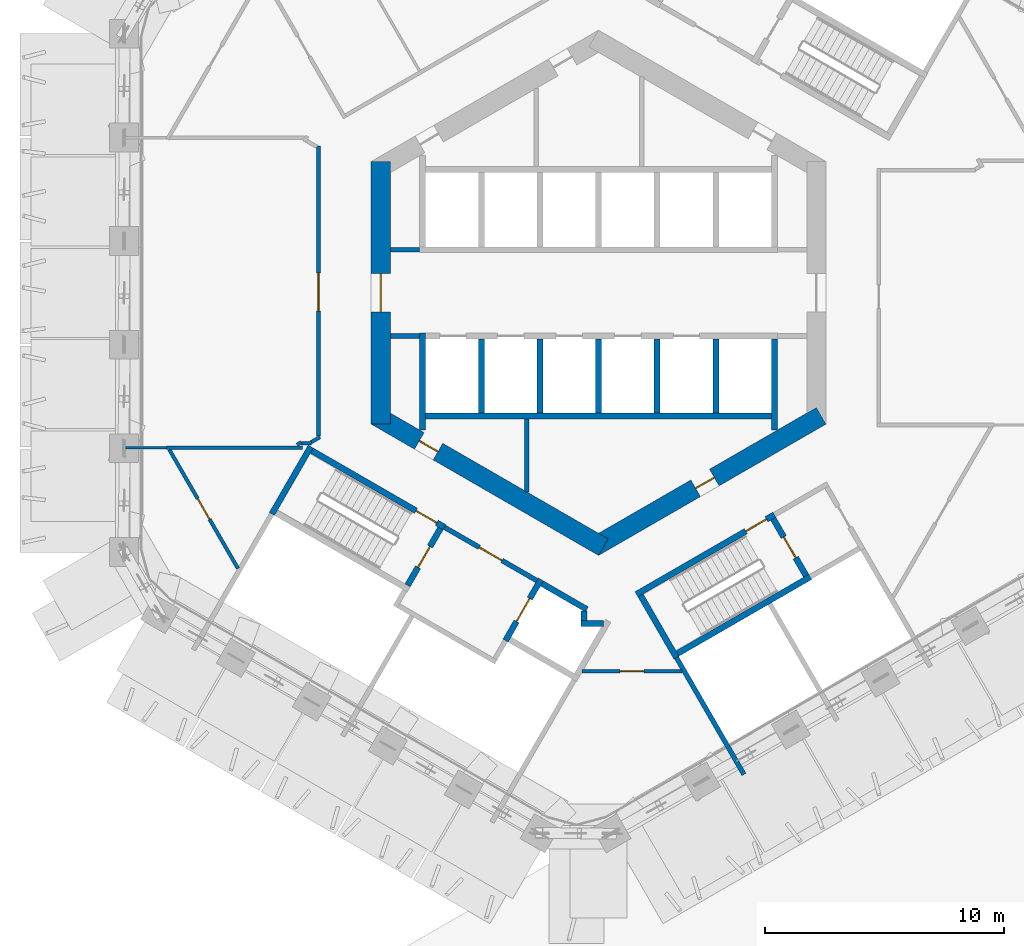
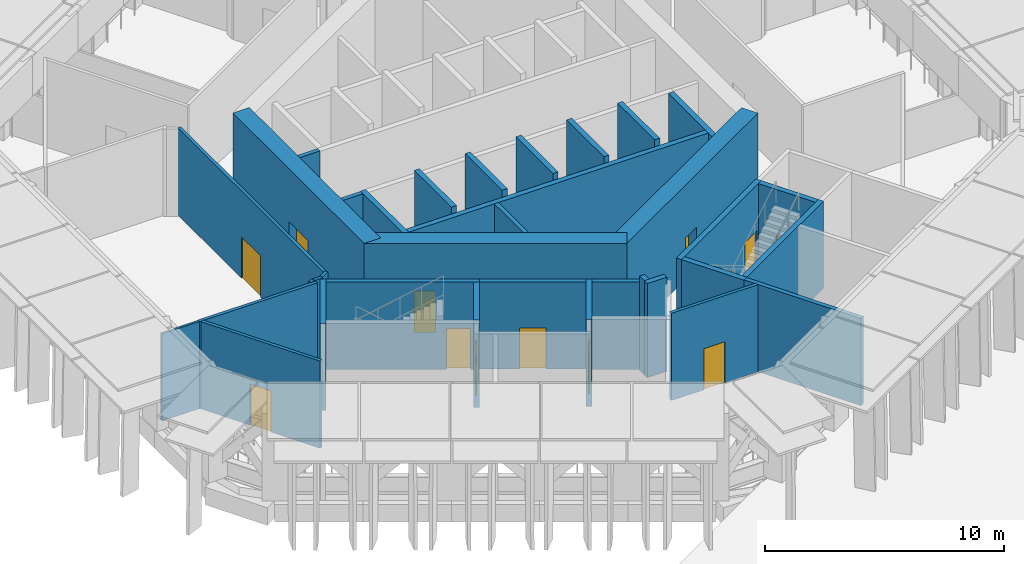
# One storey, part 6 of 16: 35 walls, 12 doors, 12 openings.
"""IFC4 building model written with IfcOpenShell, lengths in metres."""

from ifc_helpers import new_model, si_unit, direction, frame, frame_2d, origin, place, context, subcontext, project, spatial, rectangle, extrude, material, layer, layer_set, type_object, element, fill, save


model = new_model("IFC4")

# Units and contexts
model_context = context("Model", 3, precision=1e-05, world=origin(), true_north=direction((0.0, 1.0)))
body_context = subcontext(model_context, "Body", "Model", "MODEL_VIEW")
ifc_project = project(units=[si_unit("LENGTHUNIT", "METRE"), si_unit("AREAUNIT", "SQUARE_METRE"), si_unit("VOLUMEUNIT", "CUBIC_METRE"), si_unit("PLANEANGLEUNIT", "RADIAN"), si_unit("MASSUNIT", "GRAM", prefix="KILO")], contexts=[model_context])

# Site, building, storey
site_placement = place(None, origin())
site = spatial("IfcSite", under=ifc_project, at=site_placement, CompositionType="ELEMENT")
building_placement = place(site_placement, origin())
building = spatial("IfcBuilding", under=site, at=building_placement, Name="Ayvan Gate Tower", CompositionType="ELEMENT")
storey_placement = place(building_placement, frame((0.0, 0.0, 78.300048828125)))
storey = spatial("IfcBuildingStorey", under=building, at=storey_placement, Name="L20", CompositionType="ELEMENT", Elevation=78.300048828125)

# Wall, opening, door
ifc_material_1 = material(Name="Concrete C70/85", Category="concrete")
ifc_layer_1 = layer(ifc_material_1, 0.800048828125)
ifc_layer_set_1 = layer_set([ifc_layer_1], Name="Concrete C70/85")
wall_type_1 = type_object("IfcWallType", Name="Core wall 800 C70/85", PredefinedType="SHEAR", material=ifc_layer_set_1)
wall_1_placement = place(storey_placement, frame((-9.10009765625, 5.48486328125, 0.0), z_axis=(0.0, 0.0, 1.0), x_axis=(0.0, -1.0, 0.0)))
wall_1 = element("IfcWall", 1, at=wall_1_placement, inside=storey, type_object=wall_type_1, Name="CORE-L20-3", PredefinedType="SHEAR", context=body_context, shape_type="SweptSolid", body=[
    extrude(rectangle(XDim=10.9697265625, YDim=0.800048828125, at=frame_2d((5.48486328125, 0.0))), origin(), (0.0, 0.0, 1.0), 4.800048828125),
])
opening_1_placement = place(wall_1_placement, frame((4.684814453125, 0.0, 0.0)))
opening_1 = element("IfcOpeningElement", 2, at=opening_1_placement, cuts=wall_1, Name="Opening L20-D33", PredefinedType="OPENING", context=body_context, shape_type="SweptSolid", body=[
    extrude(rectangle(XDim=1.60009765625, YDim=2.10009765625, at=frame_2d((0.800048828125, 1.050048828125))), frame((0.0, 0.409912109375, 0.0), z_axis=(0.0, -1.0, 0.0), x_axis=(1.0, 0.0, 0.0)), (0.0, 0.0, 1.0), 0.820068359375),
])
ifc_material_2 = material(Name="Timber door leaf", Category="wood")
door_type_1 = type_object("IfcDoorType", Name="DT-1600", OperationType="NOTDEFINED", PredefinedType="DOOR", material=ifc_material_2)
door_1_placement = place(opening_1_placement, origin())
door_1 = element("IfcDoor", 3, at=door_1_placement, inside=storey, type_object=door_type_1, Name="CD-L20-33", OperationType="SINGLE_SWING_LEFT", OverallHeight=2.10009765625, OverallWidth=1.60009765625, PredefinedType="DOOR", context=body_context, shape_type="SweptSolid", body=[
    extrude(rectangle(XDim=1.60009765625, YDim=2.10009765625, at=frame_2d((0.800048828125, 1.050048828125))), frame((0.0, 0.02490234375, 0.0), z_axis=(0.0, -1.0, 0.0), x_axis=(1.0, 0.0, 0.0)), (0.0, 0.0, 1.0), 0.050048828125),
])
fill(opening_1, door_1)

wall_2_placement = place(storey_placement, frame((-9.300048828125, -5.138427734375, 0.0), z_axis=(0.0, 0.0, 1.0), x_axis=(0.866023993627, -0.500002442456, 0.0)))
wall_2 = element("IfcWall", 4, at=wall_2_placement, inside=storey, type_object=wall_type_1, Name="CORE-L20-4", PredefinedType="SHEAR", context=body_context, shape_type="SweptSolid", body=[
    extrude(rectangle(XDim=10.9697265625, YDim=0.800048828125, at=frame_2d((5.48486328125, 0.0))), origin(), (0.0, 0.0, 1.0), 4.800048828125),
])
opening_2_placement = place(wall_2_placement, frame((2.09130859375, 0.0, 0.0)))
opening_2 = element("IfcOpeningElement", 5, at=opening_2_placement, cuts=wall_2, Name="Opening L20-D30", PredefinedType="OPENING", context=body_context, shape_type="SweptSolid", body=[
    extrude(rectangle(XDim=0.89990234375, YDim=2.10009765625, at=frame_2d((0.449951171875, 1.050048828125))), frame((0.0, 0.409912109375, 0.0), z_axis=(0.0, -1.0, 0.0), x_axis=(1.0, 0.0, 0.0)), (0.0, 0.0, 1.0), 0.820068359375),
])
door_type_2 = type_object("IfcDoorType", Name="DT-900", OperationType="NOTDEFINED", PredefinedType="DOOR", material=ifc_material_2)
door_2_placement = place(opening_2_placement, origin())
door_2 = element("IfcDoor", 6, at=door_2_placement, inside=storey, type_object=door_type_2, Name="CD-L20-30", OperationType="SINGLE_SWING_RIGHT", OverallHeight=2.10009765625, OverallWidth=0.89990234375, PredefinedType="DOOR", context=body_context, shape_type="SweptSolid", body=[
    extrude(rectangle(XDim=0.89990234375, YDim=2.10009765625, at=frame_2d((0.449951171875, 1.050048828125))), frame((0.0, 0.02490234375, 0.0), z_axis=(0.0, -1.0, 0.0), x_axis=(1.0, 0.0, 0.0)), (0.0, 0.0, 1.0), 0.050048828125),
])
fill(opening_2, door_2)

wall_3_placement = place(storey_placement, frame((-0.199951171875, -10.623291015625, 0.0), z_axis=(0.0, 0.0, 1.0), x_axis=(0.866023993627, 0.500002442456, 0.0)))
wall_3 = element("IfcWall", 7, at=wall_3_placement, inside=storey, type_object=wall_type_1, Name="CORE-L20-5", PredefinedType="SHEAR", context=body_context, shape_type="SweptSolid", body=[
    extrude(rectangle(XDim=10.9697265625, YDim=0.800048828125, at=frame_2d((5.48486328125, 0.0))), origin(), (0.0, 0.0, 1.0), 4.800048828125),
])
opening_3_placement = place(wall_3_placement, frame((4.914306640625, 0.0, 0.0)))
opening_3 = element("IfcOpeningElement", 8, at=opening_3_placement, cuts=wall_3, Name="Opening L20-D31", PredefinedType="OPENING", context=body_context, shape_type="SweptSolid", body=[
    extrude(rectangle(XDim=0.89990234375, YDim=2.10009765625, at=frame_2d((0.449951171875, 1.050048828125))), frame((0.0, 0.409912109375, 0.0), z_axis=(0.0, -1.0, 0.0), x_axis=(1.0, 0.0, 0.0)), (0.0, 0.0, 1.0), 0.820068359375),
])
door_3_placement = place(opening_3_placement, origin())
door_3 = element("IfcDoor", 9, at=door_3_placement, inside=storey, type_object=door_type_2, Name="CD-L20-31", OperationType="SINGLE_SWING_LEFT", OverallHeight=2.10009765625, OverallWidth=0.89990234375, PredefinedType="DOOR", context=body_context, shape_type="SweptSolid", body=[
    extrude(rectangle(XDim=0.89990234375, YDim=2.10009765625, at=frame_2d((0.449951171875, 1.050048828125))), frame((0.0, 0.02490234375, 0.0), z_axis=(0.0, -1.0, 0.0), x_axis=(1.0, 0.0, 0.0)), (0.0, 0.0, 1.0), 0.050048828125),
])
fill(opening_3, door_3)

# Wall
ifc_material_3 = material(Name="Plasterboard on steel stud", Category="steel")
ifc_layer_2 = layer(ifc_material_3, 0.14990234375)
ifc_layer_set_2 = layer_set([ifc_layer_2], Name="Plasterboard on steel stud")
wall_type_2 = type_object("IfcWallType", Name="WT-CORR-150", PredefinedType="PARTITIONING", material=ifc_layer_set_2)
wall_4_placement = place(storey_placement, frame((-18.04638671875, -6.47998046875, 0.0), z_axis=(0.0, 0.0, 1.0), x_axis=(1.0, 0.0, 0.0)))
element("IfcWall", 10, at=wall_4_placement, inside=storey, type_object=wall_type_2, Name="IW-L20-002", PredefinedType="PARTITIONING", context=body_context, shape_type="SweptSolid", body=[
    extrude(rectangle(XDim=5.685302734375, YDim=0.14990234375, at=frame_2d((2.8427734375, 0.0))), origin(), (0.0, 0.0, 1.0), 4.449951171875),
])

# Wall, opening, door
wall_5_placement = place(storey_placement, frame((-15.063232421875, -11.51708984375, 0.0), z_axis=(0.0, 0.0, 1.0), x_axis=(-0.500021827193, 0.866012801482, 0.0)))
wall_5 = element("IfcWall", 11, at=wall_5_placement, inside=storey, type_object=wall_type_2, Name="IW-L20-006", PredefinedType="PARTITIONING", context=body_context, shape_type="SweptSolid", body=[
    extrude(rectangle(XDim=5.741455078125, YDim=0.14990234375, at=frame_2d((2.87060546875, 0.0))), origin(), (0.0, 0.0, 1.0), 4.449951171875),
])
opening_4_placement = place(wall_5_placement, frame((2.37060546875, 0.0, 0.0)))
opening_4 = element("IfcOpeningElement", 12, at=opening_4_placement, cuts=wall_5, Name="Opening L20-D23", PredefinedType="OPENING", context=body_context, shape_type="SweptSolid", body=[
    extrude(rectangle(XDim=1.0, YDim=2.10009765625, at=frame_2d((0.5, 1.050048828125))), frame((0.0, 0.0849609375, 0.0), z_axis=(0.0, -1.0, 0.0), x_axis=(1.0, 0.0, 0.0)), (0.0, 0.0, 1.0), 0.169921875),
])
door_type_3 = type_object("IfcDoorType", Name="DT-1000", OperationType="NOTDEFINED", PredefinedType="DOOR", material=ifc_material_2)
door_4_placement = place(opening_4_placement, origin())
door_4 = element("IfcDoor", 13, at=door_4_placement, inside=storey, type_object=door_type_3, Name="ID-L20-023", OperationType="SINGLE_SWING_LEFT", OverallHeight=2.10009765625, OverallWidth=1.0, PredefinedType="DOOR", context=body_context, shape_type="SweptSolid", body=[
    extrude(rectangle(XDim=1.0, YDim=2.10009765625, at=frame_2d((0.5, 1.050048828125))), frame((0.0, 0.02490234375, 0.0), z_axis=(0.0, -1.0, 0.0), x_axis=(1.0, 0.0, 0.0)), (0.0, 0.0, 1.0), 0.050048828125),
])
fill(opening_4, door_4)

# Walls
wall_6_placement = place(storey_placement, frame((-12.597900390625, -6.349609375, 0.0), z_axis=(0.0, 0.0, 1.0), x_axis=(0.865919906206, 0.500182682664, 0.0)))
element("IfcWall", 14, at=wall_6_placement, inside=storey, type_object=wall_type_2, Name="IW-L20-009", PredefinedType="PARTITIONING", context=body_context, shape_type="SweptSolid", body=[
    extrude(rectangle(XDim=0.21435546875, YDim=0.14990234375, at=frame_2d((0.107177734375, 0.0))), origin(), (0.0, 0.0, 1.0), 4.449951171875),
])
wall_7_placement = place(storey_placement, frame((-12.40234375, -6.280029296875, 0.0), z_axis=(0.0, 0.0, 1.0), x_axis=(1.0, 0.0, 0.0)))
element("IfcWall", 15, at=wall_7_placement, inside=storey, type_object=wall_type_2, Name="IW-L20-010", PredefinedType="PARTITIONING", context=body_context, shape_type="SweptSolid", body=[
    extrude(rectangle(XDim=0.400146484375, YDim=0.14990234375, at=frame_2d((0.2001953125, 0.0))), origin(), (0.0, 0.0, 1.0), 4.449951171875),
])
wall_8_placement = place(storey_placement, frame((-12.012451171875, -6.242431640625, 0.0), z_axis=(0.0, 0.0, 1.0), x_axis=(0.866166930732, 0.499754787977, 0.0)))
element("IfcWall", 16, at=wall_8_placement, inside=storey, type_object=wall_type_2, Name="IW-L20-015", PredefinedType="PARTITIONING", context=body_context, shape_type="SweptSolid", body=[
    extrude(rectangle(XDim=0.435791015625, YDim=0.14990234375, at=frame_2d((0.2177734375, 0.0))), origin(), (0.0, 0.0, 1.0), 4.449951171875),
])

# Wall, opening, door
wall_9_placement = place(storey_placement, frame((-11.699951171875, -5.9873046875, 0.0), z_axis=(0.0, 0.0, 1.0), x_axis=(0.0, 1.0, 0.0)))
wall_9 = element("IfcWall", 17, at=wall_9_placement, inside=storey, type_object=wall_type_2, Name="IW-L20-016", PredefinedType="PARTITIONING", context=body_context, shape_type="SweptSolid", body=[
    extrude(rectangle(XDim=12.12451171875, YDim=0.14990234375, at=frame_2d((6.062255859375, 0.0))), origin(), (0.0, 0.0, 1.0), 4.449951171875),
])
opening_5_placement = place(wall_9_placement, frame((5.224609375, 0.0, 0.0)))
opening_5 = element("IfcOpeningElement", 18, at=opening_5_placement, cuts=wall_9, Name="Opening L20-D19", PredefinedType="OPENING", context=body_context, shape_type="SweptSolid", body=[
    extrude(rectangle(XDim=1.60009765625, YDim=2.10009765625, at=frame_2d((0.800048828125, 1.050048828125))), frame((0.0, 0.0849609375, 0.0), z_axis=(0.0, -1.0, 0.0), x_axis=(1.0, 0.0, 0.0)), (0.0, 0.0, 1.0), 0.169921875),
])
door_5_placement = place(opening_5_placement, origin())
door_5 = element("IfcDoor", 19, at=door_5_placement, inside=storey, type_object=door_type_1, Name="ID-L20-019", OperationType="SINGLE_SWING_LEFT", OverallHeight=2.10009765625, OverallWidth=1.60009765625, PredefinedType="DOOR", context=body_context, shape_type="SweptSolid", body=[
    extrude(rectangle(XDim=1.60009765625, YDim=2.10009765625, at=frame_2d((0.800048828125, 1.050048828125))), frame((0.0, 0.02490234375, 0.0), z_axis=(0.0, -1.0, 0.0), x_axis=(1.0, 0.0, 0.0)), (0.0, 0.0, 1.0), 0.050048828125),
])
fill(opening_5, door_5)

wall_10_placement = place(storey_placement, frame((3.481689453125, -15.8037109375, 0.0), z_axis=(0.0, 0.0, 1.0), x_axis=(-1.0, 0.0, 0.0)))
wall_10 = element("IfcWall", 20, at=wall_10_placement, inside=storey, type_object=wall_type_2, Name="IW-L20-066", PredefinedType="PARTITIONING", context=body_context, shape_type="SweptSolid", body=[
    extrude(rectangle(XDim=4.167236328125, YDim=0.14990234375, at=frame_2d((2.08349609375, 0.0))), origin(), (0.0, 0.0, 1.0), 4.449951171875),
])
opening_6_placement = place(wall_10_placement, frame((1.58349609375, 0.0, 0.0)))
opening_6 = element("IfcOpeningElement", 21, at=opening_6_placement, cuts=wall_10, Name="Opening L20-D24", PredefinedType="OPENING", context=body_context, shape_type="SweptSolid", body=[
    extrude(rectangle(XDim=1.0, YDim=2.10009765625, at=frame_2d((0.5, 1.050048828125))), frame((0.0, 0.0849609375, 0.0), z_axis=(0.0, -1.0, 0.0), x_axis=(1.0, 0.0, 0.0)), (0.0, 0.0, 1.0), 0.169921875),
])
door_6_placement = place(opening_6_placement, origin())
door_6 = element("IfcDoor", 22, at=door_6_placement, inside=storey, type_object=door_type_3, Name="ID-L20-024", OperationType="SINGLE_SWING_RIGHT", OverallHeight=2.10009765625, OverallWidth=1.0, PredefinedType="DOOR", context=body_context, shape_type="SweptSolid", body=[
    extrude(rectangle(XDim=1.0, YDim=2.10009765625, at=frame_2d((0.5, 1.050048828125))), frame((0.0, 0.02490234375, 0.0), z_axis=(0.0, -1.0, 0.0), x_axis=(1.0, 0.0, 0.0)), (0.0, 0.0, 1.0), 0.050048828125),
])
fill(opening_6, door_6)

# Walls
ifc_layer_3 = layer(ifc_material_3, 0.10009765625)
ifc_layer_set_3 = layer_set([ifc_layer_3], Name="Plasterboard on steel stud")
wall_type_3 = type_object("IfcWallType", Name="WT-PART-100", PredefinedType="PARTITIONING", material=ifc_layer_set_3)
wall_11_placement = place(storey_placement, frame((-18.04638671875, -6.47998046875, 0.0), z_axis=(0.0, 0.0, 1.0), x_axis=(-1.0, 0.0, 0.0)))
element("IfcWall", 23, at=wall_11_placement, inside=storey, type_object=wall_type_3, Name="IW-L20-003", PredefinedType="PARTITIONING", context=body_context, shape_type="SweptSolid", body=[
    extrude(rectangle(XDim=1.816650390625, YDim=0.10009765625, at=frame_2d((0.908203125, 0.0))), origin(), (0.0, 0.0, 1.0), 4.449951171875),
])
ifc_layer_4 = layer(ifc_material_3, 0.199951171875)
ifc_layer_set_4 = layer_set([ifc_layer_4], Name="Plasterboard on steel stud")
wall_type_4 = type_object("IfcWallType", Name="WT-PLUMB-200", PredefinedType="PLUMBINGWALL", material=ifc_layer_set_4)
wall_12_placement = place(storey_placement, frame((3.255615234375, -15.23876953125, 0.0), z_axis=(0.0, 0.0, 1.0), x_axis=(0.499988783044, -0.8660318798, 0.0)))
element("IfcWall", 24, at=wall_12_placement, inside=storey, type_object=wall_type_4, Name="IW-L20-067", PredefinedType="PLUMBINGWALL", context=body_context, shape_type="SweptSolid", body=[
    extrude(rectangle(XDim=5.634033203125, YDim=0.199951171875, at=frame_2d((2.81689453125, 0.0))), origin(), (0.0, 0.0, 1.0), 4.449951171875),
])
ifc_layer_5 = layer(ifc_material_3, 0.199951171875)
ifc_layer_set_5 = layer_set([ifc_layer_5], Name="Plasterboard on steel stud")
wall_type_5 = type_object("IfcWallType", Name="WT-RATED-200", PredefinedType="PARTITIONING", material=ifc_layer_set_5)
for number, where, z_axis, x_axis, name in (
    (25, (-8.699951171875, 1.800048828125, 0.0), (0.0, 0.0, 1.0), (1.0, 0.0, 0.0), "IW-L20-019"),
    (26, (-7.474853515625, -1.800048828125, 0.0), (0.0, 0.0, 1.0), (-1.0, 0.0, 0.0), "IW-L20-029"),
):
    element("IfcWall", number, at=place(storey_placement, frame(where, z_axis=z_axis, x_axis=x_axis)), inside=storey, type_object=wall_type_5, Name=name, PredefinedType="PARTITIONING", context=body_context, shape_type="SweptSolid", body=[
        extrude(rectangle(XDim=1.22509765625, YDim=0.199951171875, at=frame_2d((0.612548828125, 0.0))), origin(), (0.0, 0.0, 1.0), 4.449951171875),
    ])

# Wall, opening, door
wall_13_placement = place(storey_placement, frame((-6.4345703125, -9.794921875, 0.0), z_axis=(0.0, 0.0, 1.0), x_axis=(0.866012907634, -0.500021643343, 0.0)))
wall_13 = element("IfcWall", 27, at=wall_13_placement, inside=storey, type_object=wall_type_5, Name="IW-L20-031", PredefinedType="PARTITIONING", context=body_context, shape_type="SweptSolid", body=[
    extrude(rectangle(XDim=4.449951171875, YDim=0.199951171875, at=frame_2d((2.22509765625, 0.0))), origin(), (0.0, 0.0, 1.0), 4.449951171875),
])
opening_7_placement = place(wall_13_placement, frame((1.675048828125, 0.0, 0.0)))
opening_7 = element("IfcOpeningElement", 28, at=opening_7_placement, cuts=wall_13, Name="Opening L20-D12", PredefinedType="OPENING", context=body_context, shape_type="SweptSolid", body=[
    extrude(rectangle(XDim=1.10009765625, YDim=2.10009765625, at=frame_2d((0.550048828125, 1.050048828125))), frame((0.0, 0.10986328125, 0.0), z_axis=(0.0, -1.0, 0.0), x_axis=(1.0, 0.0, 0.0)), (0.0, 0.0, 1.0), 0.219970703125),
])
door_type_4 = type_object("IfcDoorType", Name="DT-1100", OperationType="NOTDEFINED", PredefinedType="DOOR", material=ifc_material_2)
door_7_placement = place(opening_7_placement, origin())
door_7 = element("IfcDoor", 29, at=door_7_placement, inside=storey, type_object=door_type_4, Name="ID-L20-012", OperationType="SINGLE_SWING_RIGHT", OverallHeight=2.10009765625, OverallWidth=1.10009765625, PredefinedType="DOOR", context=body_context, shape_type="SweptSolid", body=[
    extrude(rectangle(XDim=1.10009765625, YDim=2.10009765625, at=frame_2d((0.550048828125, 1.050048828125))), frame((0.0, 0.02490234375, 0.0), z_axis=(0.0, -1.0, 0.0), x_axis=(1.0, 0.0, 0.0)), (0.0, 0.0, 1.0), 0.050048828125),
])
fill(opening_7, door_7)

# Walls
wall_14_placement = place(storey_placement, frame((-3.0, -5.27490234375, 0.0), z_axis=(0.0, 0.0, 1.0), x_axis=(0.0, -1.0, 0.0)))
element("IfcWall", 30, at=wall_14_placement, inside=storey, type_object=wall_type_5, Name="IW-L20-040", PredefinedType="PARTITIONING", context=body_context, shape_type="SweptSolid", body=[
    extrude(rectangle(XDim=3.038818359375, YDim=0.199951171875, at=frame_2d((1.51953125, 0.0))), origin(), (0.0, 0.0, 1.0), 4.449951171875),
])
ifc_material_4 = material(Name="Concrete C50/60", Category="concrete")
ifc_layer_6 = layer(ifc_material_4, 0.25)
ifc_layer_set_6 = layer_set([ifc_layer_6], Name="Concrete C50/60")
wall_type_6 = type_object("IfcWallType", Name="WT-RC-250", PredefinedType="SHEAR", material=ifc_layer_set_6)
wall_15_placement = place(storey_placement, frame((-13.64794921875, -9.23876953125, 0.0), z_axis=(0.0, 0.0, 1.0), x_axis=(0.500017246033, 0.866015446554, 0.0)))
element("IfcWall", 31, at=wall_15_placement, inside=storey, type_object=wall_type_6, Name="IW-L20-008", PredefinedType="SHEAR", context=body_context, shape_type="SweptSolid", body=[
    extrude(rectangle(XDim=3.25, YDim=0.25, at=frame_2d((1.625, 0.0))), origin(), (0.0, 0.0, 1.0), 4.449951171875),
])

# Wall, opening, door
wall_16_placement = place(storey_placement, frame((-11.97705078125, -6.594970703125, 0.0), z_axis=(0.0, 0.0, 1.0), x_axis=(0.866025499775, -0.499999833739, 0.0)))
wall_16 = element("IfcWall", 32, at=wall_16_placement, inside=storey, type_object=wall_type_6, Name="IW-L20-014", PredefinedType="SHEAR", context=body_context, shape_type="SweptSolid", body=[
    extrude(rectangle(XDim=6.39990234375, YDim=0.25, at=frame_2d((3.199951171875, 0.0))), origin(), (0.0, 0.0, 1.0), 4.449951171875),
])
opening_8_placement = place(wall_16_placement, frame((5.02490234375, 0.0, 0.0)))
opening_8 = element("IfcOpeningElement", 33, at=opening_8_placement, cuts=wall_16, Name="Opening L20-D10", PredefinedType="OPENING", context=body_context, shape_type="SweptSolid", body=[
    extrude(rectangle(XDim=1.0, YDim=2.10009765625, at=frame_2d((0.5, 1.050048828125))), frame((0.0, 0.135009765625, 0.0), z_axis=(0.0, -1.0, 0.0), x_axis=(1.0, 0.0, 0.0)), (0.0, 0.0, 1.0), 0.27001953125),
])
door_8_placement = place(opening_8_placement, origin())
door_8 = element("IfcDoor", 34, at=door_8_placement, inside=storey, type_object=door_type_3, Name="ID-L20-010", OperationType="SINGLE_SWING_RIGHT", OverallHeight=2.10009765625, OverallWidth=1.0, PredefinedType="DOOR", context=body_context, shape_type="SweptSolid", body=[
    extrude(rectangle(XDim=1.0, YDim=2.10009765625, at=frame_2d((0.5, 1.050048828125))), frame((0.0, 0.02490234375, 0.0), z_axis=(0.0, -1.0, 0.0), x_axis=(1.0, 0.0, 0.0)), (0.0, 0.0, 1.0), 0.050048828125),
])
fill(opening_8, door_8)

# Wall
wall_17_placement = place(storey_placement, frame((-7.35009765625, -5.730224609375, 0.0), z_axis=(0.0, 0.0, 1.0), x_axis=(0.0, 1.0, 0.0)))
element("IfcWall", 35, at=wall_17_placement, inside=storey, type_object=wall_type_6, Name="IW-L20-026", PredefinedType="SHEAR", context=body_context, shape_type="SweptSolid", body=[
    extrude(rectangle(XDim=4.05517578125, YDim=0.25, at=frame_2d((2.027587890625, 0.0))), origin(), (0.0, 0.0, 1.0), 4.449951171875),
])

# Wall, opening, door
wall_18_placement = place(storey_placement, frame((-6.605224609375, -9.8408203125, 0.0), z_axis=(0.0, 0.0, 1.0), x_axis=(-0.499996545922, -0.866027397988, 0.0)))
wall_18 = element("IfcWall", 36, at=wall_18_placement, inside=storey, type_object=wall_type_6, Name="IW-L20-030", PredefinedType="SHEAR", context=body_context, shape_type="SweptSolid", body=[
    extrude(rectangle(XDim=2.75, YDim=0.25, at=frame_2d((1.375, 0.0))), origin(), (0.0, 0.0, 1.0), 4.449951171875),
])
opening_9_placement = place(wall_18_placement, frame((0.875, 0.0, 0.0)))
opening_9 = element("IfcOpeningElement", 37, at=opening_9_placement, cuts=wall_18, Name="Opening L20-D11", PredefinedType="OPENING", context=body_context, shape_type="SweptSolid", body=[
    extrude(rectangle(XDim=1.0, YDim=2.10009765625, at=frame_2d((0.5, 1.050048828125))), frame((0.0, 0.135009765625, 0.0), z_axis=(0.0, -1.0, 0.0), x_axis=(1.0, 0.0, 0.0)), (0.0, 0.0, 1.0), 0.27001953125),
])
door_9_placement = place(opening_9_placement, origin())
door_9 = element("IfcDoor", 38, at=door_9_placement, inside=storey, type_object=door_type_3, Name="ID-L20-011", OperationType="SINGLE_SWING_LEFT", OverallHeight=2.10009765625, OverallWidth=1.0, PredefinedType="DOOR", context=body_context, shape_type="SweptSolid", body=[
    extrude(rectangle(XDim=1.0, YDim=2.10009765625, at=frame_2d((0.5, 1.050048828125))), frame((0.0, 0.02490234375, 0.0), z_axis=(0.0, -1.0, 0.0), x_axis=(1.0, 0.0, 0.0)), (0.0, 0.0, 1.0), 0.050048828125),
])
fill(opening_9, door_9)

# Walls
wall_19_placement = place(storey_placement, frame((-7.22509765625, -5.14990234375, 0.0), z_axis=(0.0, 0.0, 1.0), x_axis=(1.0, 0.0, 0.0)))
element("IfcWall", 39, at=wall_19_placement, inside=storey, type_object=wall_type_6, Name="IW-L20-032", PredefinedType="SHEAR", context=body_context, shape_type="SweptSolid", body=[
    extrude(rectangle(XDim=14.7001953125, YDim=0.25, at=frame_2d((7.35009765625, 0.0))), origin(), (0.0, 0.0, 1.0), 4.449951171875),
])
wall_20_placement = place(storey_placement, frame((-4.89990234375, -1.925048828125, 0.0), z_axis=(0.0, 0.0, 1.0), x_axis=(0.0, -1.0, 0.0)))
element("IfcWall", 40, at=wall_20_placement, inside=storey, type_object=wall_type_6, Name="IW-L20-033", PredefinedType="SHEAR", context=body_context, shape_type="SweptSolid", body=[
    extrude(rectangle(XDim=3.099853515625, YDim=0.25, at=frame_2d((1.5498046875, 0.0))), origin(), (0.0, 0.0, 1.0), 4.800048828125),
])

# Wall, opening, door
wall_21_placement = place(storey_placement, frame((-2.409912109375, -11.97412109375, 0.0), z_axis=(0.0, 0.0, 1.0), x_axis=(-0.500001826776, -0.866024349092, 0.0)))
wall_21 = element("IfcWall", 41, at=wall_21_placement, inside=storey, type_object=wall_type_6, Name="IW-L20-042", PredefinedType="SHEAR", context=body_context, shape_type="SweptSolid", body=[
    extrude(rectangle(XDim=2.9501953125, YDim=0.25, at=frame_2d((1.47509765625, 0.0))), origin(), (0.0, 0.0, 1.0), 4.449951171875),
])
opening_10_placement = place(wall_21_placement, frame((0.925048828125, 0.0, 0.0)))
opening_10 = element("IfcOpeningElement", 42, at=opening_10_placement, cuts=wall_21, Name="Opening L20-LD-FF2", PredefinedType="OPENING", context=body_context, shape_type="SweptSolid", body=[
    extrude(rectangle(XDim=1.10009765625, YDim=2.10009765625, at=frame_2d((0.550048828125, 1.050048828125))), frame((0.0, 0.135009765625, 0.0), z_axis=(0.0, -1.0, 0.0), x_axis=(1.0, 0.0, 0.0)), (0.0, 0.0, 1.0), 0.27001953125),
])
ifc_material_5 = material(Name="Stainless steel landing door", Category="steel")
door_type_5 = type_object("IfcDoorType", Name="DT-LANDING-1100", OperationType="SLIDING_TO_LEFT", PredefinedType="DOOR", material=ifc_material_5)
door_10_placement = place(opening_10_placement, origin())
door_10 = element("IfcDoor", 43, at=door_10_placement, inside=storey, type_object=door_type_5, Name="ID-L20-013", OperationType="SLIDING_TO_LEFT", OverallHeight=2.10009765625, OverallWidth=1.10009765625, PredefinedType="DOOR", context=body_context, shape_type="SweptSolid", body=[
    extrude(rectangle(XDim=1.10009765625, YDim=2.10009765625, at=frame_2d((0.550048828125, 1.050048828125))), frame((0.0, 0.02490234375, 0.0), z_axis=(0.0, -1.0, 0.0), x_axis=(1.0, 0.0, 0.0)), (0.0, 0.0, 1.0), 0.050048828125),
])
fill(opening_10, door_10)

# Walls
wall_22_placement = place(storey_placement, frame((-2.3642578125, -12.14501953125, 0.0), z_axis=(0.0, 0.0, 1.0), x_axis=(0.86603892542, -0.499976579108, 0.0)))
element("IfcWall", 44, at=wall_22_placement, inside=storey, type_object=wall_type_6, Name="IW-L20-043", PredefinedType="SHEAR", context=body_context, shape_type="SweptSolid", body=[
    extrude(rectangle(XDim=2.162109375, YDim=0.25, at=frame_2d((1.0810546875, 0.0))), origin(), (0.0, 0.0, 1.0), 4.449951171875),
])
wall_23_placement = place(storey_placement, frame((-2.449951171875, -1.925048828125, 0.0), z_axis=(0.0, 0.0, 1.0), x_axis=(0.0, -1.0, 0.0)))
element("IfcWall", 45, at=wall_23_placement, inside=storey, type_object=wall_type_6, Name="IW-L20-044", PredefinedType="SHEAR", context=body_context, shape_type="SweptSolid", body=[
    extrude(rectangle(XDim=3.099853515625, YDim=0.25, at=frame_2d((1.5498046875, 0.0))), origin(), (0.0, 0.0, 1.0), 4.800048828125),
])
wall_24_placement = place(storey_placement, frame((-0.72509765625, -13.81005859375, 0.0), z_axis=(0.0, 0.0, 1.0), x_axis=(1.0, 0.0, 0.0)))
element("IfcWall", 46, at=wall_24_placement, inside=storey, type_object=wall_type_6, Name="IW-L20-050", PredefinedType="SHEAR", context=body_context, shape_type="SweptSolid", body=[
    extrude(rectangle(XDim=0.940673828125, YDim=0.25, at=frame_2d((0.47021484375, 0.0))), origin(), (0.0, 0.0, 1.0), 4.800048828125),
])
wall_25_placement = place(storey_placement, frame((-0.60009765625, -13.28857421875, 0.0), z_axis=(0.0, 0.0, 1.0), x_axis=(0.0, -1.0, 0.0)))
element("IfcWall", 47, at=wall_25_placement, inside=storey, type_object=wall_type_6, Name="IW-L20-051", PredefinedType="SHEAR", context=body_context, shape_type="SweptSolid", body=[
    extrude(rectangle(XDim=0.396484375, YDim=0.25, at=frame_2d((0.1982421875, 0.0))), origin(), (0.0, 0.0, 1.0), 4.800048828125),
])
wall_26_placement = place(storey_placement, frame((0.0, -1.925048828125, 0.0), z_axis=(0.0, 0.0, 1.0), x_axis=(0.0, -1.0, 0.0)))
element("IfcWall", 48, at=wall_26_placement, inside=storey, type_object=wall_type_6, Name="IW-L20-053", PredefinedType="SHEAR", context=body_context, shape_type="SweptSolid", body=[
    extrude(rectangle(XDim=3.099853515625, YDim=0.25, at=frame_2d((1.5498046875, 0.0))), origin(), (0.0, 0.0, 1.0), 4.800048828125),
])

# Wall, opening, door
wall_27_placement = place(storey_placement, frame((1.584716796875, -12.594970703125, 0.0), z_axis=(0.0, 0.0, 1.0), x_axis=(0.866036417653, 0.499980922934, 0.0)))
wall_27 = element("IfcWall", 49, at=wall_27_placement, inside=storey, type_object=wall_type_6, Name="IW-L20-059", PredefinedType="SHEAR", context=body_context, shape_type="SweptSolid", body=[
    extrude(rectangle(XDim=6.650146484375, YDim=0.25, at=frame_2d((3.3251953125, 0.0))), origin(), (0.0, 0.0, 1.0), 4.449951171875),
])
opening_11_placement = place(wall_27_placement, frame((5.27490234375, 0.0, 0.0)))
opening_11 = element("IfcOpeningElement", 50, at=opening_11_placement, cuts=wall_27, Name="Opening L20-D14", PredefinedType="OPENING", context=body_context, shape_type="SweptSolid", body=[
    extrude(rectangle(XDim=1.0, YDim=2.10009765625, at=frame_2d((0.5, 1.050048828125))), frame((0.0, 0.135009765625, 0.0), z_axis=(0.0, -1.0, 0.0), x_axis=(1.0, 0.0, 0.0)), (0.0, 0.0, 1.0), 0.27001953125),
])
door_11_placement = place(opening_11_placement, origin())
door_11 = element("IfcDoor", 51, at=door_11_placement, inside=storey, type_object=door_type_3, Name="ID-L20-014", OperationType="SINGLE_SWING_RIGHT", OverallHeight=2.10009765625, OverallWidth=1.0, PredefinedType="DOOR", context=body_context, shape_type="SweptSolid", body=[
    extrude(rectangle(XDim=1.0, YDim=2.10009765625, at=frame_2d((0.5, 1.050048828125))), frame((0.0, 0.02490234375, 0.0), z_axis=(0.0, -1.0, 0.0), x_axis=(1.0, 0.0, 0.0)), (0.0, 0.0, 1.0), 0.050048828125),
])
fill(opening_11, door_11)

# Walls
wall_28_placement = place(storey_placement, frame((2.449951171875, -1.925048828125, 0.0), z_axis=(0.0, 0.0, 1.0), x_axis=(0.0, -1.0, 0.0)))
element("IfcWall", 52, at=wall_28_placement, inside=storey, type_object=wall_type_6, Name="IW-L20-061", PredefinedType="SHEAR", context=body_context, shape_type="SweptSolid", body=[
    extrude(rectangle(XDim=3.099853515625, YDim=0.25, at=frame_2d((1.5498046875, 0.0))), origin(), (0.0, 0.0, 1.0), 4.800048828125),
])
wall_29_placement = place(storey_placement, frame((3.255615234375, -15.23876953125, 0.0), z_axis=(0.0, 0.0, 1.0), x_axis=(-0.50002537861, 0.866010750942, 0.0)))
element("IfcWall", 53, at=wall_29_placement, inside=storey, type_object=wall_type_6, Name="IW-L20-065", PredefinedType="SHEAR", context=body_context, shape_type="SweptSolid", body=[
    extrude(rectangle(XDim=2.999755859375, YDim=0.25, at=frame_2d((1.5, 0.0))), origin(), (0.0, 0.0, 1.0), 4.449951171875),
])
wall_30_placement = place(storey_placement, frame((4.89990234375, -1.925048828125, 0.0), z_axis=(0.0, 0.0, 1.0), x_axis=(0.0, -1.0, 0.0)))
element("IfcWall", 54, at=wall_30_placement, inside=storey, type_object=wall_type_6, Name="IW-L20-070", PredefinedType="SHEAR", context=body_context, shape_type="SweptSolid", body=[
    extrude(rectangle(XDim=3.099853515625, YDim=0.25, at=frame_2d((1.5498046875, 0.0))), origin(), (0.0, 0.0, 1.0), 4.800048828125),
])
wall_31_placement = place(storey_placement, frame((3.30126953125, -15.068115234375, 0.0), z_axis=(0.0, 0.0, 1.0), x_axis=(0.866035036182, 0.499983315828, 0.0)))
element("IfcWall", 55, at=wall_31_placement, inside=storey, type_object=wall_type_6, Name="IW-L20-075", PredefinedType="SHEAR", context=body_context, shape_type="SweptSolid", body=[
    extrude(rectangle(XDim=6.400146484375, YDim=0.25, at=frame_2d((3.2001953125, 0.0))), origin(), (0.0, 0.0, 1.0), 4.449951171875),
])

# Wall, opening, door
wall_32_placement = place(storey_placement, frame((7.298095703125, -9.44091796875, 0.0), z_axis=(0.0, 0.0, 1.0), x_axis=(0.500034990121, -0.866005201286, 0.0)))
wall_32 = element("IfcWall", 56, at=wall_32_placement, inside=storey, type_object=wall_type_6, Name="IW-L20-076", PredefinedType="SHEAR", context=body_context, shape_type="SweptSolid", body=[
    extrude(rectangle(XDim=2.749755859375, YDim=0.25, at=frame_2d((1.375, 0.0))), origin(), (0.0, 0.0, 1.0), 4.449951171875),
])
opening_12_placement = place(wall_32_placement, frame((0.875, 0.0, 0.0)))
opening_12 = element("IfcOpeningElement", 57, at=opening_12_placement, cuts=wall_32, Name="Opening L20-D16", PredefinedType="OPENING", context=body_context, shape_type="SweptSolid", body=[
    extrude(rectangle(XDim=1.0, YDim=2.10009765625, at=frame_2d((0.5, 1.050048828125))), frame((0.0, 0.135009765625, 0.0), z_axis=(0.0, -1.0, 0.0), x_axis=(1.0, 0.0, 0.0)), (0.0, 0.0, 1.0), 0.27001953125),
])
door_12_placement = place(opening_12_placement, origin())
door_12 = element("IfcDoor", 58, at=door_12_placement, inside=storey, type_object=door_type_3, Name="ID-L20-016", OperationType="SINGLE_SWING_RIGHT", OverallHeight=2.10009765625, OverallWidth=1.0, PredefinedType="DOOR", context=body_context, shape_type="SweptSolid", body=[
    extrude(rectangle(XDim=1.0, YDim=2.10009765625, at=frame_2d((0.5, 1.050048828125))), frame((0.0, 0.02490234375, 0.0), z_axis=(0.0, -1.0, 0.0), x_axis=(1.0, 0.0, 0.0)), (0.0, 0.0, 1.0), 0.050048828125),
])
fill(opening_12, door_12)

# Wall
wall_33_placement = place(storey_placement, frame((7.35009765625, -1.925048828125, 0.0), z_axis=(0.0, 0.0, 1.0), x_axis=(0.0, -1.0, 0.0)))
element("IfcWall", 59, at=wall_33_placement, inside=storey, type_object=wall_type_6, Name="IW-L20-079", PredefinedType="SHEAR", context=body_context, shape_type="SweptSolid", body=[
    extrude(rectangle(XDim=3.80517578125, YDim=0.25, at=frame_2d((1.902587890625, 0.0))), origin(), (0.0, 0.0, 1.0), 4.449951171875),
])

save(model, "model.ifc")
